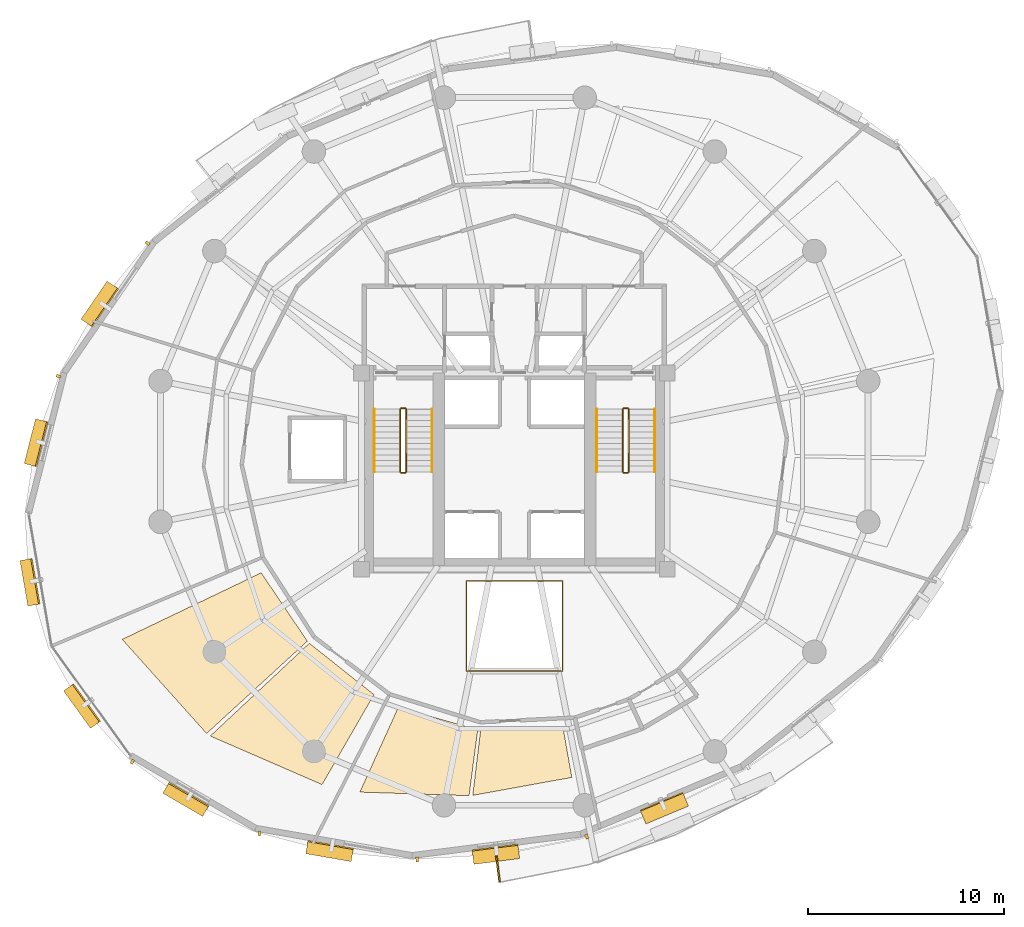
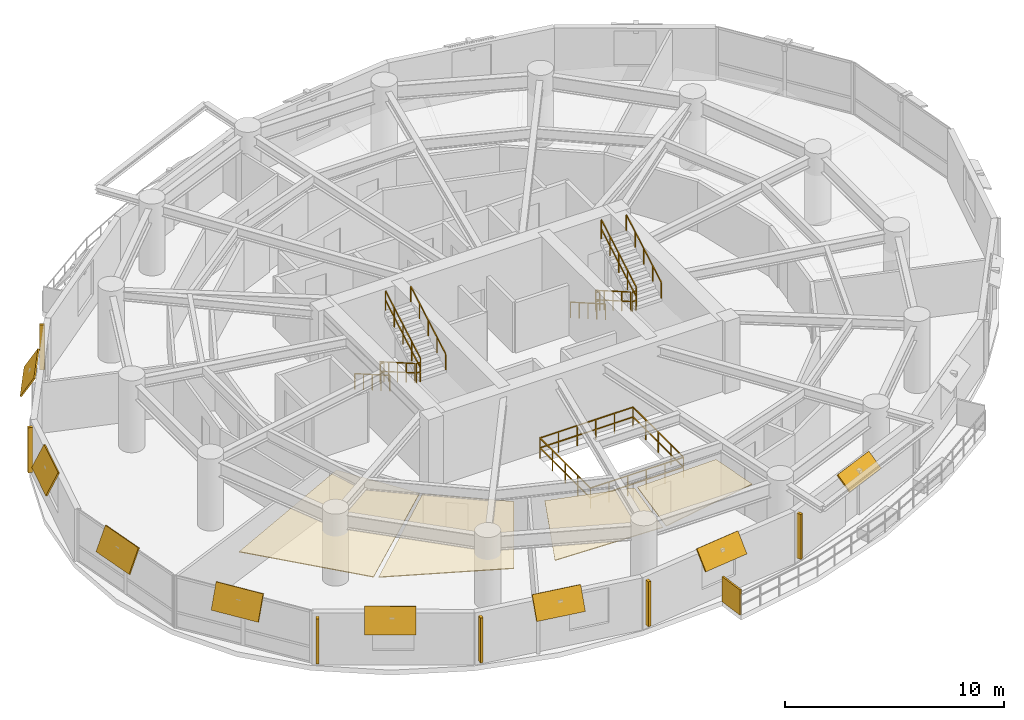
# One storey, part 13 of 14: 15 shading devices, 13 railings, 4 coverings.
"""IFC4 building model written with IfcOpenShell, lengths in metres."""

from ifc_helpers import new_model, si_unit, direction, frame, origin, origin_2d, place, context, subcontext, project, spatial, polyline, rectangle, outline, extrude, material, layer, layer_set, type_object, element, save


model = new_model("IFC4")

# Units and contexts
model_context = context("Model", 3, precision=1e-05, world=origin(), true_north=direction((0.0, 1.0)))
body_context = subcontext(model_context, "Body", "Model", "MODEL_VIEW")
ifc_project = project(units=[si_unit("LENGTHUNIT", "METRE"), si_unit("AREAUNIT", "SQUARE_METRE"), si_unit("VOLUMEUNIT", "CUBIC_METRE"), si_unit("PLANEANGLEUNIT", "RADIAN"), si_unit("MASSUNIT", "GRAM", prefix="KILO"), si_unit("THERMODYNAMICTEMPERATUREUNIT", "KELVIN"), si_unit("POWERUNIT", "WATT")], contexts=[model_context])

# Site, building, storey
site_placement = place(None, origin())
site = spatial("IfcSite", under=ifc_project, at=site_placement, CompositionType="ELEMENT")
building_placement = place(site_placement, origin())
building = spatial("IfcBuilding", under=site, at=building_placement, Name="Ocrelia Relay Tower", CompositionType="ELEMENT")
storey_placement = place(building_placement, frame((0.0, 0.0, 129.800048828125)))
storey = spatial("IfcBuildingStorey", under=building, at=storey_placement, Name="L30", CompositionType="ELEMENT", Elevation=129.800048828125)

# Coverings
ifc_material_1 = material(Name="Mineral-fiber acoustic ceiling tile", Category="gypsum")
ifc_layer_1 = layer(ifc_material_1, 0.0400390625, Name="Mineral-fiber acoustic ceiling tile")
ifc_layer_set_1 = layer_set([ifc_layer_1], Name="Mineral-fiber acoustic ceiling tile")
covering_type_1 = type_object("IfcCoveringType", Name="COV-CEIL-ACOUSTIC", PredefinedType="CEILING", material=ifc_layer_set_1)
covering_1_placement = place(storey_placement, frame((0.0, 0.0, 2.719970703125)))
element("IfcCovering", 1, at=covering_1_placement, inside=storey, type_object=covering_type_1, Name="L30 Carrier Operations Office Suspended Ceiling 1", PredefinedType="CEILING", context=body_context, shape_type="SweptSolid", body=[
    extrude(outline(polyline([(21.085693359375, 19.8125), (13.99755859375, 16.41650390625), (18.302490234375, 11.61572265625), (23.442138671875, 16.325439453125), (21.085693359375, 19.8125)])), origin(), (0.0, 0.0, 1.0), 0.0400390625),
])
covering_2_placement = place(storey_placement, frame((0.0, 0.0, 2.719970703125)))
element("IfcCovering", 2, at=covering_2_placement, inside=storey, type_object=covering_type_1, Name="L30 Carrier Operations Office Suspended Ceiling 2", PredefinedType="CEILING", context=body_context, shape_type="SweptSolid", body=[
    extrude(outline(polyline([(23.544189453125, 16.215576171875), (18.490478515625, 11.486572265625), (24.1904296875, 9.009521484375), (26.840087890625, 13.598388671875), (23.544189453125, 16.215576171875)])), origin(), (0.0, 0.0, 1.0), 0.0400390625),
])
ifc_material_2 = material(Name="Cleanroom metal-pan acoustic ceiling", Category="aluminium")
ifc_layer_2 = layer(ifc_material_2, 0.0400390625, Name="Cleanroom metal-pan acoustic ceiling")
ifc_layer_set_2 = layer_set([ifc_layer_2], Name="Cleanroom metal-pan acoustic ceiling")
covering_type_2 = type_object("IfcCoveringType", Name="COV-CEIL-CLEAN", PredefinedType="CEILING", material=ifc_layer_set_2)
covering_3_placement = place(storey_placement, frame((0.0, 0.0, 2.719970703125)))
element("IfcCovering", 3, at=covering_3_placement, inside=storey, type_object=covering_type_2, Name="L30 Optical Telemetry Studio Suspended Ceiling 1", PredefinedType="CEILING", context=body_context, shape_type="SweptSolid", body=[
    extrude(outline(polyline([(28.084228515625, 12.958984375), (26.118896484375, 8.62646484375), (31.688720703125, 8.444580078125), (32.130859375, 11.802490234375), (28.084228515625, 12.958984375)])), origin(), (0.0, 0.0, 1.0), 0.0400390625),
])
covering_4_placement = place(storey_placement, frame((0.0, 0.0, 2.719970703125)))
element("IfcCovering", 4, at=covering_4_placement, inside=storey, type_object=covering_type_2, Name="L30 Optical Telemetry Studio Suspended Ceiling 2", PredefinedType="CEILING", context=body_context, shape_type="SweptSolid", body=[
    extrude(outline(polyline([(32.279541015625, 11.78369140625), (31.87744140625, 8.4599609375), (36.931396484375, 9.37548828125), (36.486572265625, 11.897705078125), (32.279541015625, 11.78369140625)])), origin(), (0.0, 0.0, 1.0), 0.0400390625),
])

# Railings
ifc_material_3 = material(Name="Steel S355 atrium balustrade", Category="steel")
railing_type_1 = type_object("IfcRailingType", Name="RL-INT-GUARD-115", PredefinedType="GUARDRAIL", material=ifc_material_3)
railing_1_placement = place(storey_placement, frame((31.550048828125, 14.800048828125, 0.0)))
element("IfcRailing", 5, at=railing_1_placement, inside=storey, type_object=railing_type_1, Name="L30 Multi-Zone Interior Atrium Guard", PredefinedType="GUARDRAIL", context=body_context, shape_type="SweptSolid", body=[
    extrude(rectangle(XDim=0.048095703125, YDim=0.048095703125, at=origin_2d()), frame((0.0, 0.0, 1.1259765625), z_axis=(1.0, 0.0, 0.0), x_axis=(0.0, 1.0, 0.0)), (0.0, 0.0, 1.0), 4.89990234375),
    extrude(rectangle(XDim=0.048095703125, YDim=0.048095703125, at=origin_2d()), frame((0.0, 0.0, 0.574951171875), z_axis=(1.0, 0.0, 0.0), x_axis=(0.0, 1.0, 0.0)), (0.0, 0.0, 1.0), 4.89990234375),
    extrude(rectangle(XDim=0.048095703125, YDim=0.048095703125, at=origin_2d()), frame((4.89990234375, 0.0, 1.1259765625), z_axis=(0.0, 1.0, 0.0), x_axis=(-1.0, 0.0, 0.0)), (0.0, 0.0, 1.0), 4.599853515625),
    extrude(rectangle(XDim=0.048095703125, YDim=0.048095703125, at=origin_2d()), frame((4.89990234375, 0.0, 0.574951171875), z_axis=(0.0, 1.0, 0.0), x_axis=(-1.0, 0.0, 0.0)), (0.0, 0.0, 1.0), 4.599853515625),
    extrude(rectangle(XDim=0.048095703125, YDim=0.048095703125, at=origin_2d()), frame((4.89990234375, 4.599853515625, 1.1259765625), z_axis=(-1.0, 0.0, 0.0), x_axis=(0.0, -1.0, 0.0)), (0.0, 0.0, 1.0), 4.89990234375),
    extrude(rectangle(XDim=0.048095703125, YDim=0.048095703125, at=origin_2d()), frame((4.89990234375, 4.599853515625, 0.574951171875), z_axis=(-1.0, 0.0, 0.0), x_axis=(0.0, -1.0, 0.0)), (0.0, 0.0, 1.0), 4.89990234375),
    extrude(rectangle(XDim=0.048095703125, YDim=0.048095703125, at=origin_2d()), frame((0.0, 4.599853515625, 1.1259765625), z_axis=(0.0, -1.0, 0.0), x_axis=(1.0, 0.0, 0.0)), (0.0, 0.0, 1.0), 4.599853515625),
    extrude(rectangle(XDim=0.048095703125, YDim=0.048095703125, at=origin_2d()), frame((0.0, 4.599853515625, 0.574951171875), z_axis=(0.0, -1.0, 0.0), x_axis=(1.0, 0.0, 0.0)), (0.0, 0.0, 1.0), 4.599853515625),
    extrude(rectangle(XDim=0.0419921875, YDim=0.0419921875, at=origin_2d()), origin(), (0.0, 0.0, 1.0), 1.101806640625),
    extrude(rectangle(XDim=0.0419921875, YDim=0.0419921875, at=origin_2d()), frame((0.97998046875, 0.0, 0.0)), (0.0, 0.0, 1.0), 1.101806640625),
    extrude(rectangle(XDim=0.0419921875, YDim=0.0419921875, at=origin_2d()), frame((1.9599609375, 0.0, 0.0)), (0.0, 0.0, 1.0), 1.101806640625),
    extrude(rectangle(XDim=0.0419921875, YDim=0.0419921875, at=origin_2d()), frame((2.93994140625, 0.0, 0.0)), (0.0, 0.0, 1.0), 1.101806640625),
    extrude(rectangle(XDim=0.0419921875, YDim=0.0419921875, at=origin_2d()), frame((3.919921875, 0.0, 0.0)), (0.0, 0.0, 1.0), 1.101806640625),
    extrude(rectangle(XDim=0.0419921875, YDim=0.0419921875, at=origin_2d()), frame((4.89990234375, 0.0, 0.0)), (0.0, 0.0, 1.0), 1.101806640625),
    extrude(rectangle(XDim=0.0419921875, YDim=0.0419921875, at=origin_2d()), frame((4.89990234375, 1.14990234375, 0.0)), (0.0, 0.0, 1.0), 1.101806640625),
    extrude(rectangle(XDim=0.0419921875, YDim=0.0419921875, at=origin_2d()), frame((4.89990234375, 2.2998046875, 0.0)), (0.0, 0.0, 1.0), 1.101806640625),
    extrude(rectangle(XDim=0.0419921875, YDim=0.0419921875, at=origin_2d()), frame((4.89990234375, 3.449951171875, 0.0)), (0.0, 0.0, 1.0), 1.101806640625),
    extrude(rectangle(XDim=0.0419921875, YDim=0.0419921875, at=origin_2d()), frame((4.89990234375, 4.599853515625, 0.0)), (0.0, 0.0, 1.0), 1.101806640625),
    extrude(rectangle(XDim=0.0419921875, YDim=0.0419921875, at=origin_2d()), frame((3.919921875, 4.599853515625, 0.0)), (0.0, 0.0, 1.0), 1.101806640625),
    extrude(rectangle(XDim=0.0419921875, YDim=0.0419921875, at=origin_2d()), frame((2.93994140625, 4.599853515625, 0.0)), (0.0, 0.0, 1.0), 1.101806640625),
    extrude(rectangle(XDim=0.0419921875, YDim=0.0419921875, at=origin_2d()), frame((1.9599609375, 4.599853515625, 0.0)), (0.0, 0.0, 1.0), 1.101806640625),
    extrude(rectangle(XDim=0.0419921875, YDim=0.0419921875, at=origin_2d()), frame((0.97998046875, 4.599853515625, 0.0)), (0.0, 0.0, 1.0), 1.101806640625),
    extrude(rectangle(XDim=0.0419921875, YDim=0.0419921875, at=origin_2d()), frame((0.0, 4.599853515625, 0.0)), (0.0, 0.0, 1.0), 1.101806640625),
    extrude(rectangle(XDim=0.0419921875, YDim=0.0419921875, at=origin_2d()), frame((0.0, 3.449951171875, 0.0)), (0.0, 0.0, 1.0), 1.101806640625),
    extrude(rectangle(XDim=0.0419921875, YDim=0.0419921875, at=origin_2d()), frame((0.0, 2.2998046875, 0.0)), (0.0, 0.0, 1.0), 1.101806640625),
    extrude(rectangle(XDim=0.0419921875, YDim=0.0419921875, at=origin_2d()), frame((0.0, 1.14990234375, 0.0)), (0.0, 0.0, 1.0), 1.101806640625),
])
ifc_material_4 = material(Name="Steel S355 balustrade", Category="steel")
railing_type_2 = type_object("IfcRailingType", Name="RL-STAIR-GUARD", PredefinedType="GUARDRAIL", material=ifc_material_4)
railing_2_placement = place(storey_placement, frame((28.179931640625, 28.14990234375, 0.16650390625)))
element("IfcRailing", 6, at=railing_2_placement, inside=storey, type_object=railing_type_2, Name="L30 ST1 stair guard 1", PredefinedType="GUARDRAIL", context=body_context, shape_type="SweptSolid", body=[
    extrude(rectangle(XDim=0.048095703125, YDim=0.048095703125, at=origin_2d()), frame((0.0, 0.0, 1.076171875), z_axis=(0.0, -0.86699087805, 0.498324008431), x_axis=(1.0, 0.0, 0.0)), (0.0, 0.0, 1.0), 3.679443359375),
    extrude(rectangle(XDim=0.048095703125, YDim=0.048095703125, at=origin_2d()), frame((0.0, 0.0, 0.550048828125), z_axis=(0.0, -0.86699087805, 0.498324008431), x_axis=(1.0, 0.0, 0.0)), (0.0, 0.0, 1.0), 3.679443359375),
    extrude(rectangle(XDim=0.0419921875, YDim=0.0419921875, at=origin_2d()), origin(), (0.0, 0.0, 1.0), 1.052001953125),
    extrude(rectangle(XDim=0.0419921875, YDim=0.0419921875, at=origin_2d()), frame((0.0, -0.79736328125, 0.45849609375)), (0.0, 0.0, 1.0), 1.052001953125),
    extrude(rectangle(XDim=0.0419921875, YDim=0.0419921875, at=origin_2d()), frame((0.0, -1.594970703125, 0.916748046875)), (0.0, 0.0, 1.0), 1.052001953125),
    extrude(rectangle(XDim=0.0419921875, YDim=0.0419921875, at=origin_2d()), frame((0.0, -2.392578125, 1.375)), (0.0, 0.0, 1.0), 1.052001953125),
    extrude(rectangle(XDim=0.0419921875, YDim=0.0419921875, at=origin_2d()), frame((0.0, -3.18994140625, 1.83349609375)), (0.0, 0.0, 1.0), 1.052001953125),
])
railing_3_placement = place(storey_placement, frame((28.22998046875, 24.909912109375, 2.0)))
element("IfcRailing", 7, at=railing_3_placement, inside=storey, type_object=railing_type_2, Name="L30 ST1 stair guard 2", PredefinedType="GUARDRAIL", context=body_context, shape_type="SweptSolid", body=[
    extrude(rectangle(XDim=0.048095703125, YDim=0.048095703125, at=origin_2d()), frame((0.0, 0.0, 1.076171875), z_axis=(1.0, 0.0, 0.0), x_axis=(0.0, 1.0, 0.0)), (0.0, 0.0, 1.0), 0.199951171875),
    extrude(rectangle(XDim=0.048095703125, YDim=0.048095703125, at=origin_2d()), frame((0.0, 0.0, 0.550048828125), z_axis=(1.0, 0.0, 0.0), x_axis=(0.0, 1.0, 0.0)), (0.0, 0.0, 1.0), 0.199951171875),
    extrude(rectangle(XDim=0.0419921875, YDim=0.0419921875, at=origin_2d()), origin(), (0.0, 0.0, 1.0), 1.052001953125),
    extrude(rectangle(XDim=0.0419921875, YDim=0.0419921875, at=origin_2d()), frame((0.199951171875, 0.0, 0.0)), (0.0, 0.0, 1.0), 1.052001953125),
])
railing_4_placement = place(storey_placement, frame((28.47998046875, 24.9599609375, 2.16650390625)))
element("IfcRailing", 8, at=railing_4_placement, inside=storey, type_object=railing_type_2, Name="L30 ST1 stair guard 3", PredefinedType="GUARDRAIL", context=body_context, shape_type="SweptSolid", body=[
    extrude(rectangle(XDim=0.048095703125, YDim=0.048095703125, at=origin_2d()), frame((0.0, 0.0, 1.076171875), z_axis=(0.0, 0.86699087805, 0.498324008431), x_axis=(-1.0, 0.0, 0.0)), (0.0, 0.0, 1.0), 3.679443359375),
    extrude(rectangle(XDim=0.048095703125, YDim=0.048095703125, at=origin_2d()), frame((0.0, 0.0, 0.550048828125), z_axis=(0.0, 0.86699087805, 0.498324008431), x_axis=(-1.0, 0.0, 0.0)), (0.0, 0.0, 1.0), 3.679443359375),
    extrude(rectangle(XDim=0.0419921875, YDim=0.0419921875, at=origin_2d()), origin(), (0.0, 0.0, 1.0), 1.052001953125),
    extrude(rectangle(XDim=0.0419921875, YDim=0.0419921875, at=origin_2d()), frame((0.0, 0.79736328125, 0.45849609375)), (0.0, 0.0, 1.0), 1.052001953125),
    extrude(rectangle(XDim=0.0419921875, YDim=0.0419921875, at=origin_2d()), frame((0.0, 1.594970703125, 0.916748046875)), (0.0, 0.0, 1.0), 1.052001953125),
    extrude(rectangle(XDim=0.0419921875, YDim=0.0419921875, at=origin_2d()), frame((0.0, 2.392578125, 1.375)), (0.0, 0.0, 1.0), 1.052001953125),
    extrude(rectangle(XDim=0.0419921875, YDim=0.0419921875, at=origin_2d()), frame((0.0, 3.18994140625, 1.83349609375)), (0.0, 0.0, 1.0), 1.052001953125),
])
railing_5_placement = place(storey_placement, frame((28.22998046875, 28.199951171875, 0.0)))
element("IfcRailing", 9, at=railing_5_placement, inside=storey, type_object=railing_type_2, Name="L30 ST1 stair guard 4", PredefinedType="GUARDRAIL", context=body_context, shape_type="SweptSolid", body=[
    extrude(rectangle(XDim=0.048095703125, YDim=0.048095703125, at=origin_2d()), frame((0.0, 0.0, 1.076171875), z_axis=(1.0, 0.0, 0.0), x_axis=(0.0, 1.0, 0.0)), (0.0, 0.0, 1.0), 0.199951171875),
    extrude(rectangle(XDim=0.048095703125, YDim=0.048095703125, at=origin_2d()), frame((0.0, 0.0, 0.550048828125), z_axis=(1.0, 0.0, 0.0), x_axis=(0.0, 1.0, 0.0)), (0.0, 0.0, 1.0), 0.199951171875),
    extrude(rectangle(XDim=0.0419921875, YDim=0.0419921875, at=origin_2d()), origin(), (0.0, 0.0, 1.0), 1.052001953125),
    extrude(rectangle(XDim=0.0419921875, YDim=0.0419921875, at=origin_2d()), frame((0.199951171875, 0.0, 0.0)), (0.0, 0.0, 1.0), 1.052001953125),
])
railing_6_placement = place(storey_placement, frame((39.530029296875, 28.14990234375, 0.16650390625)))
element("IfcRailing", 10, at=railing_6_placement, inside=storey, type_object=railing_type_2, Name="L30 ST2 stair guard 1", PredefinedType="GUARDRAIL", context=body_context, shape_type="SweptSolid", body=[
    extrude(rectangle(XDim=0.048095703125, YDim=0.048095703125, at=origin_2d()), frame((0.0, 0.0, 1.076171875), z_axis=(0.0, -0.86699087805, 0.498324008431), x_axis=(1.0, 0.0, 0.0)), (0.0, 0.0, 1.0), 3.679443359375),
    extrude(rectangle(XDim=0.048095703125, YDim=0.048095703125, at=origin_2d()), frame((0.0, 0.0, 0.550048828125), z_axis=(0.0, -0.86699087805, 0.498324008431), x_axis=(1.0, 0.0, 0.0)), (0.0, 0.0, 1.0), 3.679443359375),
    extrude(rectangle(XDim=0.0419921875, YDim=0.0419921875, at=origin_2d()), origin(), (0.0, 0.0, 1.0), 1.052001953125),
    extrude(rectangle(XDim=0.0419921875, YDim=0.0419921875, at=origin_2d()), frame((0.0, -0.79736328125, 0.45849609375)), (0.0, 0.0, 1.0), 1.052001953125),
    extrude(rectangle(XDim=0.0419921875, YDim=0.0419921875, at=origin_2d()), frame((0.0, -1.594970703125, 0.916748046875)), (0.0, 0.0, 1.0), 1.052001953125),
    extrude(rectangle(XDim=0.0419921875, YDim=0.0419921875, at=origin_2d()), frame((0.0, -2.392578125, 1.375)), (0.0, 0.0, 1.0), 1.052001953125),
    extrude(rectangle(XDim=0.0419921875, YDim=0.0419921875, at=origin_2d()), frame((0.0, -3.18994140625, 1.83349609375)), (0.0, 0.0, 1.0), 1.052001953125),
])
railing_7_placement = place(storey_placement, frame((39.580078125, 24.909912109375, 2.0)))
element("IfcRailing", 11, at=railing_7_placement, inside=storey, type_object=railing_type_2, Name="L30 ST2 stair guard 2", PredefinedType="GUARDRAIL", context=body_context, shape_type="SweptSolid", body=[
    extrude(rectangle(XDim=0.048095703125, YDim=0.048095703125, at=origin_2d()), frame((0.0, 0.0, 1.076171875), z_axis=(1.0, 0.0, 0.0), x_axis=(0.0, 1.0, 0.0)), (0.0, 0.0, 1.0), 0.199951171875),
    extrude(rectangle(XDim=0.048095703125, YDim=0.048095703125, at=origin_2d()), frame((0.0, 0.0, 0.550048828125), z_axis=(1.0, 0.0, 0.0), x_axis=(0.0, 1.0, 0.0)), (0.0, 0.0, 1.0), 0.199951171875),
    extrude(rectangle(XDim=0.0419921875, YDim=0.0419921875, at=origin_2d()), origin(), (0.0, 0.0, 1.0), 1.052001953125),
    extrude(rectangle(XDim=0.0419921875, YDim=0.0419921875, at=origin_2d()), frame((0.199951171875, 0.0, 0.0)), (0.0, 0.0, 1.0), 1.052001953125),
])
railing_8_placement = place(storey_placement, frame((39.830078125, 24.9599609375, 2.16650390625)))
element("IfcRailing", 12, at=railing_8_placement, inside=storey, type_object=railing_type_2, Name="L30 ST2 stair guard 3", PredefinedType="GUARDRAIL", context=body_context, shape_type="SweptSolid", body=[
    extrude(rectangle(XDim=0.048095703125, YDim=0.048095703125, at=origin_2d()), frame((0.0, 0.0, 1.076171875), z_axis=(0.0, 0.86699087805, 0.498324008431), x_axis=(-1.0, 0.0, 0.0)), (0.0, 0.0, 1.0), 3.679443359375),
    extrude(rectangle(XDim=0.048095703125, YDim=0.048095703125, at=origin_2d()), frame((0.0, 0.0, 0.550048828125), z_axis=(0.0, 0.86699087805, 0.498324008431), x_axis=(-1.0, 0.0, 0.0)), (0.0, 0.0, 1.0), 3.679443359375),
    extrude(rectangle(XDim=0.0419921875, YDim=0.0419921875, at=origin_2d()), origin(), (0.0, 0.0, 1.0), 1.052001953125),
    extrude(rectangle(XDim=0.0419921875, YDim=0.0419921875, at=origin_2d()), frame((0.0, 0.79736328125, 0.45849609375)), (0.0, 0.0, 1.0), 1.052001953125),
    extrude(rectangle(XDim=0.0419921875, YDim=0.0419921875, at=origin_2d()), frame((0.0, 1.594970703125, 0.916748046875)), (0.0, 0.0, 1.0), 1.052001953125),
    extrude(rectangle(XDim=0.0419921875, YDim=0.0419921875, at=origin_2d()), frame((0.0, 2.392578125, 1.375)), (0.0, 0.0, 1.0), 1.052001953125),
    extrude(rectangle(XDim=0.0419921875, YDim=0.0419921875, at=origin_2d()), frame((0.0, 3.18994140625, 1.83349609375)), (0.0, 0.0, 1.0), 1.052001953125),
])
railing_9_placement = place(storey_placement, frame((39.580078125, 28.199951171875, 0.0)))
element("IfcRailing", 13, at=railing_9_placement, inside=storey, type_object=railing_type_2, Name="L30 ST2 stair guard 4", PredefinedType="GUARDRAIL", context=body_context, shape_type="SweptSolid", body=[
    extrude(rectangle(XDim=0.048095703125, YDim=0.048095703125, at=origin_2d()), frame((0.0, 0.0, 1.076171875), z_axis=(1.0, 0.0, 0.0), x_axis=(0.0, 1.0, 0.0)), (0.0, 0.0, 1.0), 0.199951171875),
    extrude(rectangle(XDim=0.048095703125, YDim=0.048095703125, at=origin_2d()), frame((0.0, 0.0, 0.550048828125), z_axis=(1.0, 0.0, 0.0), x_axis=(0.0, 1.0, 0.0)), (0.0, 0.0, 1.0), 0.199951171875),
    extrude(rectangle(XDim=0.0419921875, YDim=0.0419921875, at=origin_2d()), origin(), (0.0, 0.0, 1.0), 1.052001953125),
    extrude(rectangle(XDim=0.0419921875, YDim=0.0419921875, at=origin_2d()), frame((0.199951171875, 0.0, 0.0)), (0.0, 0.0, 1.0), 1.052001953125),
])
ifc_material_5 = material(Name="Steel S355 tubular handrail", Category="steel")
railing_type_3 = type_object("IfcRailingType", Name="RL-STAIR-HAND", PredefinedType="HANDRAIL", material=ifc_material_5)
railing_10_placement = place(storey_placement, frame((26.860107421875, 28.14990234375, 0.16650390625)))
element("IfcRailing", 14, at=railing_10_placement, inside=storey, type_object=railing_type_3, Name="L30 ST1 stair handrail 1", PredefinedType="HANDRAIL", context=body_context, shape_type="SweptSolid", body=[
    extrude(rectangle(XDim=0.048095703125, YDim=0.048095703125, at=origin_2d()), frame((0.0, 0.0, 0.8759765625), z_axis=(0.0, -0.86699087805, 0.498324008431), x_axis=(1.0, 0.0, 0.0)), (0.0, 0.0, 1.0), 3.679443359375),
    extrude(rectangle(XDim=0.0419921875, YDim=0.0419921875, at=origin_2d()), origin(), (0.0, 0.0, 1.0), 0.851806640625),
    extrude(rectangle(XDim=0.0419921875, YDim=0.0419921875, at=origin_2d()), frame((0.0, -0.79736328125, 0.45849609375)), (0.0, 0.0, 1.0), 0.851806640625),
    extrude(rectangle(XDim=0.0419921875, YDim=0.0419921875, at=origin_2d()), frame((0.0, -1.594970703125, 0.916748046875)), (0.0, 0.0, 1.0), 0.851806640625),
    extrude(rectangle(XDim=0.0419921875, YDim=0.0419921875, at=origin_2d()), frame((0.0, -2.392578125, 1.375)), (0.0, 0.0, 1.0), 0.851806640625),
    extrude(rectangle(XDim=0.0419921875, YDim=0.0419921875, at=origin_2d()), frame((0.0, -3.18994140625, 1.83349609375)), (0.0, 0.0, 1.0), 0.851806640625),
])
railing_11_placement = place(storey_placement, frame((29.800048828125, 24.9599609375, 2.16650390625)))
element("IfcRailing", 15, at=railing_11_placement, inside=storey, type_object=railing_type_3, Name="L30 ST1 stair handrail 2", PredefinedType="HANDRAIL", context=body_context, shape_type="SweptSolid", body=[
    extrude(rectangle(XDim=0.048095703125, YDim=0.048095703125, at=origin_2d()), frame((0.0, 0.0, 0.8759765625), z_axis=(0.0, 0.86699087805, 0.498324008431), x_axis=(-1.0, 0.0, 0.0)), (0.0, 0.0, 1.0), 3.679443359375),
    extrude(rectangle(XDim=0.0419921875, YDim=0.0419921875, at=origin_2d()), origin(), (0.0, 0.0, 1.0), 0.851806640625),
    extrude(rectangle(XDim=0.0419921875, YDim=0.0419921875, at=origin_2d()), frame((0.0, 0.79736328125, 0.45849609375)), (0.0, 0.0, 1.0), 0.851806640625),
    extrude(rectangle(XDim=0.0419921875, YDim=0.0419921875, at=origin_2d()), frame((0.0, 1.594970703125, 0.916748046875)), (0.0, 0.0, 1.0), 0.851806640625),
    extrude(rectangle(XDim=0.0419921875, YDim=0.0419921875, at=origin_2d()), frame((0.0, 2.392578125, 1.375)), (0.0, 0.0, 1.0), 0.851806640625),
    extrude(rectangle(XDim=0.0419921875, YDim=0.0419921875, at=origin_2d()), frame((0.0, 3.18994140625, 1.83349609375)), (0.0, 0.0, 1.0), 0.851806640625),
])
railing_12_placement = place(storey_placement, frame((38.2099609375, 28.14990234375, 0.16650390625)))
element("IfcRailing", 16, at=railing_12_placement, inside=storey, type_object=railing_type_3, Name="L30 ST2 stair handrail 1", PredefinedType="HANDRAIL", context=body_context, shape_type="SweptSolid", body=[
    extrude(rectangle(XDim=0.048095703125, YDim=0.048095703125, at=origin_2d()), frame((0.0, 0.0, 0.8759765625), z_axis=(0.0, -0.86699087805, 0.498324008431), x_axis=(1.0, 0.0, 0.0)), (0.0, 0.0, 1.0), 3.679443359375),
    extrude(rectangle(XDim=0.0419921875, YDim=0.0419921875, at=origin_2d()), origin(), (0.0, 0.0, 1.0), 0.851806640625),
    extrude(rectangle(XDim=0.0419921875, YDim=0.0419921875, at=origin_2d()), frame((0.0, -0.79736328125, 0.45849609375)), (0.0, 0.0, 1.0), 0.851806640625),
    extrude(rectangle(XDim=0.0419921875, YDim=0.0419921875, at=origin_2d()), frame((0.0, -1.594970703125, 0.916748046875)), (0.0, 0.0, 1.0), 0.851806640625),
    extrude(rectangle(XDim=0.0419921875, YDim=0.0419921875, at=origin_2d()), frame((0.0, -2.392578125, 1.375)), (0.0, 0.0, 1.0), 0.851806640625),
    extrude(rectangle(XDim=0.0419921875, YDim=0.0419921875, at=origin_2d()), frame((0.0, -3.18994140625, 1.83349609375)), (0.0, 0.0, 1.0), 0.851806640625),
])
railing_13_placement = place(storey_placement, frame((41.14990234375, 24.9599609375, 2.16650390625)))
element("IfcRailing", 17, at=railing_13_placement, inside=storey, type_object=railing_type_3, Name="L30 ST2 stair handrail 2", PredefinedType="HANDRAIL", context=body_context, shape_type="SweptSolid", body=[
    extrude(rectangle(XDim=0.048095703125, YDim=0.048095703125, at=origin_2d()), frame((0.0, 0.0, 0.8759765625), z_axis=(0.0, 0.86699087805, 0.498324008431), x_axis=(-1.0, 0.0, 0.0)), (0.0, 0.0, 1.0), 3.679443359375),
    extrude(rectangle(XDim=0.0419921875, YDim=0.0419921875, at=origin_2d()), origin(), (0.0, 0.0, 1.0), 0.851806640625),
    extrude(rectangle(XDim=0.0419921875, YDim=0.0419921875, at=origin_2d()), frame((0.0, 0.79736328125, 0.45849609375)), (0.0, 0.0, 1.0), 0.851806640625),
    extrude(rectangle(XDim=0.0419921875, YDim=0.0419921875, at=origin_2d()), frame((0.0, 1.594970703125, 0.916748046875)), (0.0, 0.0, 1.0), 0.851806640625),
    extrude(rectangle(XDim=0.0419921875, YDim=0.0419921875, at=origin_2d()), frame((0.0, 2.392578125, 1.375)), (0.0, 0.0, 1.0), 0.851806640625),
    extrude(rectangle(XDim=0.0419921875, YDim=0.0419921875, at=origin_2d()), frame((0.0, 3.18994140625, 1.83349609375)), (0.0, 0.0, 1.0), 0.851806640625),
])

# Shading devices
ifc_material_6 = material(Name="Perforated oxide terracotta solar screen", Category="masonry")
ifc_layer_3 = layer(ifc_material_6, 0.090087890625, Name="Perforated oxide terracotta solar screen")
ifc_layer_set_3 = layer_set([ifc_layer_3], Name="Perforated oxide terracotta solar screen")
shading_device_type_1 = type_object("IfcShadingDeviceType", Name="SH-BALC-SCREEN", PredefinedType="USERDEFINED", material=ifc_layer_set_3)
shading_device_1_placement = place(storey_placement, frame((33.166015625, 4.707275390625, 0.0), z_axis=(0.0, 0.0, 1.0), x_axis=(0.12443216568, -0.992228116989, 0.0)))
element("IfcShadingDevice", 18, at=shading_device_1_placement, inside=storey, type_object=shading_device_type_1, Name="L30 Balcony Perforated Terracotta Screen B2-1", ObjectType="SCREEN", PredefinedType="USERDEFINED", context=body_context, shape_type="SweptSolid", body=[
    extrude(rectangle(XDim=1.340087890625, YDim=0.090087890625, at=origin_2d()), origin(), (0.0, 0.0, 1.0), 1.39990234375),
])
ifc_material_7 = material(Name="Extruded oxide terracotta vertical baguette", Category="masonry")
shading_device_type_2 = type_object("IfcShadingDeviceType", Name="SH-TERR-BAGUETTE", PredefinedType="USERDEFINED", material=ifc_material_7)
for number, where, z_axis, x_axis, name in (
    (19, (15.296875, 36.6201171875, 0.199951171875), (0.0, 0.0, 1.0), (-0.566147090887, -0.824304234782, 0.0), "L30 Oxide Terracotta Vertical Baguette 07"),
    (20, (10.757568359375, 29.838623046875, 0.199951171875), (0.0, 0.0, 1.0), (-0.245635180575, -0.969362346114, 0.0), "L30 Oxide Terracotta Vertical Baguette 08"),
    (21, (14.51318359375, 10.1787109375, 0.199951171875), (0.0, 0.0, 1.0), (0.864445728571, -0.502726150459, 0.0), "L30 Oxide Terracotta Vertical Baguette 11"),
    (22, (21.00048828125, 6.518310546875, 0.199951171875), (0.0, 0.0, 1.0), (0.985054946327, -0.172240392232, 0.0), "L30 Oxide Terracotta Vertical Baguette 12"),
    (23, (29.044921875, 5.194091796875, 0.199951171875), (0.0, 0.0, 1.0), (0.992052038851, 0.125828264753, 0.0), "L30 Oxide Terracotta Vertical Baguette 13"),
    (24, (37.6923828125, 6.3642578125, 0.199951171875), (0.0, 0.0, 1.0), (0.921864083545, 0.387513369408, 0.0), "L30 Oxide Terracotta Vertical Baguette 14"),
):
    element("IfcShadingDevice", number, at=place(storey_placement, frame(where, z_axis=z_axis, x_axis=x_axis)), inside=storey, type_object=shading_device_type_2, Name=name, ObjectType="BAGUETTE", PredefinedType="USERDEFINED", context=body_context, shape_type="SweptSolid", body=[
        extrude(rectangle(XDim=0.139892578125, YDim=0.239990234375, at=origin_2d()), origin(), (0.0, 0.0, 1.0), 2.5),
    ])
ifc_material_8 = material(Name="Extruded oxide terracotta fin", Category="masonry")
ifc_layer_4 = layer(ifc_material_8, 0.080078125, Name="Extruded oxide terracotta fin")
ifc_layer_set_4 = layer_set([ifc_layer_4], Name="Extruded oxide terracotta fin")
shading_device_type_3 = type_object("IfcShadingDeviceType", Name="SH-VISOR-FIN-DEEP", PredefinedType="USERDEFINED", material=ifc_layer_set_4)
shading_device_2_placement = place(storey_placement, frame((12.882568359375, 33.501220703125, 2.719482421875), z_axis=(-0.707232642463, 0.485740199086, 0.513691004814), x_axis=(-0.566147090887, -0.824304234782, 0.0)))
element("IfcShadingDevice", 25, at=shading_device_2_placement, inside=storey, type_object=shading_device_type_3, Name="L30 Canted Terracotta Sun-Visor Fin 07", ObjectType="FIN", PredefinedType="USERDEFINED", context=body_context, shape_type="SweptSolid", body=[
    extrude(rectangle(XDim=2.35009765625, YDim=1.235107421875, at=origin_2d()), origin(), (0.0, 0.0, 1.0), 0.080078125),
])
shading_device_3_placement = place(storey_placement, frame((9.640869140625, 26.43701171875, 2.72216796875), z_axis=(-0.86796813822, 0.219942017781, 0.445260395554), x_axis=(-0.245635180575, -0.969362346114, 0.0)))
element("IfcShadingDevice", 26, at=shading_device_3_placement, inside=storey, type_object=shading_device_type_3, Name="L30 Canted Terracotta Sun-Visor Fin 08", ObjectType="FIN", PredefinedType="USERDEFINED", context=body_context, shape_type="SweptSolid", body=[
    extrude(rectangle(XDim=2.35009765625, YDim=1.30908203125, at=origin_2d()), origin(), (0.0, 0.0, 1.0), 0.080078125),
])
shading_device_4_placement = place(storey_placement, frame((9.331298828125, 19.335205078125, 2.723388671875), z_axis=(-0.897596119246, -0.15553424146, 0.412468552072), x_axis=(0.170734411981, -0.985317086306, 0.0)))
element("IfcShadingDevice", 27, at=shading_device_4_placement, inside=storey, type_object=shading_device_type_3, Name="L30 Canted Terracotta Sun-Visor Fin 09", ObjectType="FIN", PredefinedType="USERDEFINED", context=body_context, shape_type="SweptSolid", body=[
    extrude(rectangle(XDim=2.35009765625, YDim=1.343994140625, at=origin_2d()), origin(), (0.0, 0.0, 1.0), 0.080078125),
])
shading_device_5_placement = place(storey_placement, frame((11.977294921875, 13.037353515625, 2.7236328125), z_axis=(-0.740592438469, -0.533534389518, 0.408489773781), x_axis=(0.58452681603, -0.811374390366, 0.0)))
element("IfcShadingDevice", 28, at=shading_device_5_placement, inside=storey, type_object=shading_device_type_3, Name="L30 Canted Terracotta Sun-Visor Fin 10", ObjectType="FIN", PredefinedType="USERDEFINED", context=body_context, shape_type="SweptSolid", body=[
    extrude(rectangle(XDim=2.35009765625, YDim=1.347900390625, at=origin_2d()), origin(), (0.0, 0.0, 1.0), 0.080078125),
])
shading_device_6_placement = place(storey_placement, frame((17.2666015625, 8.287841796875, 2.72265625), z_axis=(-0.453033025528, -0.778997598317, 0.433501810375), x_axis=(0.864445728571, -0.502726150459, 0.0)))
element("IfcShadingDevice", 29, at=shading_device_6_placement, inside=storey, type_object=shading_device_type_3, Name="L30 Canted Terracotta Sun-Visor Fin 11", ObjectType="FIN", PredefinedType="USERDEFINED", context=body_context, shape_type="SweptSolid", body=[
    extrude(rectangle(XDim=2.35009765625, YDim=1.322021484375, at=origin_2d()), origin(), (0.0, 0.0, 1.0), 0.080078125),
])
shading_device_7_placement = place(storey_placement, frame((24.582275390625, 5.658935546875, 2.72021484375), z_axis=(-0.149672973447, -0.855990287266, 0.494852128545), x_axis=(0.985054946327, -0.172240392232, 0.0)))
element("IfcShadingDevice", 30, at=shading_device_7_placement, inside=storey, type_object=shading_device_type_3, Name="L30 Canted Terracotta Sun-Visor Fin 12", ObjectType="FIN", PredefinedType="USERDEFINED", context=body_context, shape_type="SweptSolid", body=[
    extrude(rectangle(XDim=2.35009765625, YDim=1.256103515625, at=origin_2d()), origin(), (0.0, 0.0, 1.0), 0.080078125),
])
ifc_layer_5 = layer(ifc_material_8, 0.080078125, Name="Extruded oxide terracotta fin")
ifc_layer_set_5 = layer_set([ifc_layer_5], Name="Extruded oxide terracotta fin")
shading_device_type_4 = type_object("IfcShadingDeviceType", Name="SH-VISOR-FIN-MED", PredefinedType="USERDEFINED", material=ifc_layer_set_5)
shading_device_8_placement = place(storey_placement, frame((33.053955078125, 5.4921875, 2.716064453125), z_axis=(0.100662476933, -0.793640567749, 0.600001429133), x_axis=(0.992052038851, 0.125828264753, 0.0)))
element("IfcShadingDevice", 31, at=shading_device_8_placement, inside=storey, type_object=shading_device_type_4, Name="L30 Canted Terracotta Sun-Visor Fin 13", ObjectType="FIN", PredefinedType="USERDEFINED", context=body_context, shape_type="SweptSolid", body=[
    extrude(rectangle(XDim=2.35009765625, YDim=1.135009765625, at=origin_2d()), origin(), (0.0, 0.0, 1.0), 0.080078125),
])
shading_device_9_placement = place(storey_placement, frame((41.63623046875, 7.83447265625, 2.710693359375), z_axis=(0.263887510865, -0.627767807686, 0.732305237754), x_axis=(0.921864083545, 0.387513369408, 0.0)))
element("IfcShadingDevice", 32, at=shading_device_9_placement, inside=storey, type_object=shading_device_type_4, Name="L30 Canted Terracotta Sun-Visor Fin 14", ObjectType="FIN", PredefinedType="USERDEFINED", context=body_context, shape_type="SweptSolid", body=[
    extrude(rectangle(XDim=2.35009765625, YDim=0.965087890625, at=origin_2d()), origin(), (0.0, 0.0, 1.0), 0.080078125),
])

save(model, "model.ifc")
